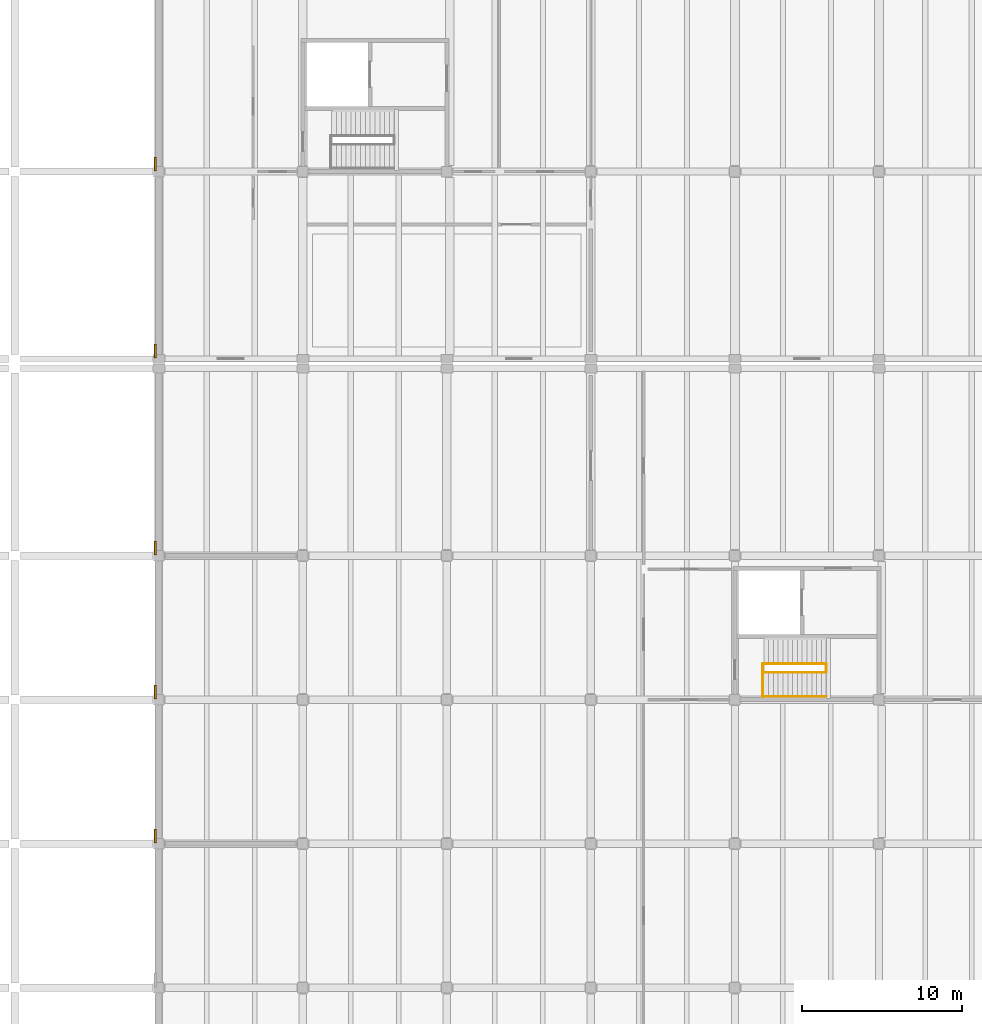
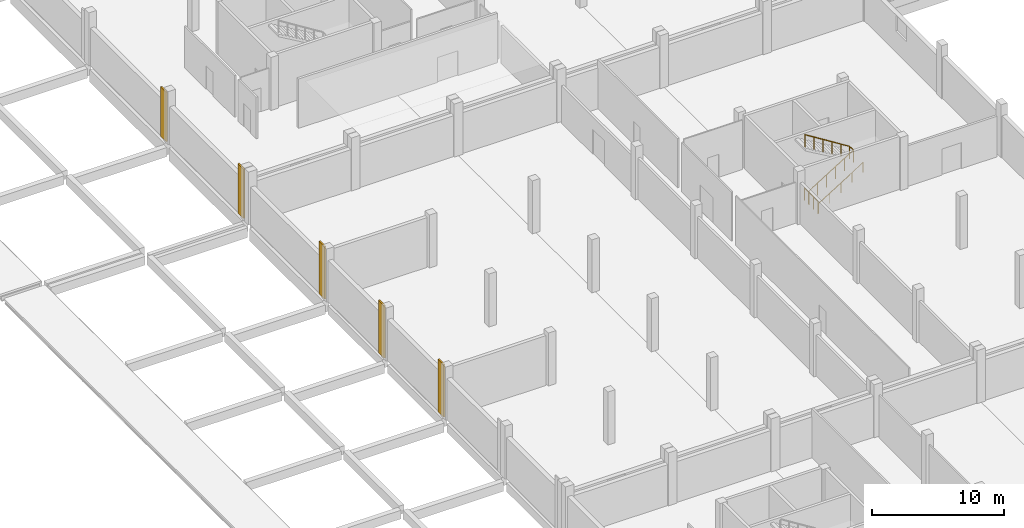
# One storey, part 100 of 110: 5 coverings, 5 railings.
"""IFC4 building model written with IfcOpenShell, lengths in metres."""

from ifc_helpers import new_model, si_unit, direction, frame, origin, origin_2d, place, context, subcontext, project, spatial, rectangle, circle, extrude, material, layer, layer_set, type_object, element, save


model = new_model("IFC4")

# Units and contexts
model_context = context("Model", 3, precision=1e-05, world=origin(), true_north=direction((0.0, 1.0)))
body_context = subcontext(model_context, "Body", "Model", "MODEL_VIEW")
ifc_project = project(units=[si_unit("LENGTHUNIT", "METRE"), si_unit("AREAUNIT", "SQUARE_METRE"), si_unit("VOLUMEUNIT", "CUBIC_METRE"), si_unit("PLANEANGLEUNIT", "RADIAN"), si_unit("MASSUNIT", "GRAM", prefix="KILO")], contexts=[model_context])

# Site, building, storey
site_placement = place(None, origin())
site = spatial("IfcSite", under=ifc_project, at=site_placement, CompositionType="ELEMENT")
building_placement = place(site_placement, origin())
building = spatial("IfcBuilding", under=site, at=building_placement, Name="Zacnel Wholesale Market", CompositionType="ELEMENT")
storey_placement = place(building_placement, frame((0.0, 0.0, 6.300048828125)))
storey = spatial("IfcBuildingStorey", under=building, at=storey_placement, Name="L02", CompositionType="ELEMENT", Elevation=6.300048828125)

# Coverings
ifc_material_1 = material(Name="Honed Yucatan Maya cream limestone", Category="masonry")
ifc_layer = layer(ifc_material_1, 0.090087890625)
ifc_layer_set = layer_set([ifc_layer], Name="Honed Yucatan Maya cream limestone")
covering_type = type_object("IfcCoveringType", Name="COV-CLAD-FRET", PredefinedType="CLADDING", material=ifc_layer_set)
for number, where, z_axis, x_axis, name in (
    (1, (17.7900390625, 66.47998046875, 0.02001953125), (0.0, 0.0, 1.0), (0.0, 1.0, 0.0), "Fluted Mayan-Deco limestone pilaster L02-0093"),
    (2, (17.7900390625, 75.47998046875, 0.02001953125), (0.0, 0.0, 1.0), (0.0, 1.0, 0.0), "Fluted Mayan-Deco limestone pilaster L02-0094"),
    (3, (17.7900390625, 84.47998046875, 0.02001953125), (0.0, 0.0, 1.0), (0.0, 1.0, 0.0), "Fluted Mayan-Deco limestone pilaster L02-0095"),
):
    element("IfcCovering", number, at=place(storey_placement, frame(where, z_axis=z_axis, x_axis=x_axis)), inside=storey, type_object=covering_type, Name=name, PredefinedType="CLADDING", context=body_context, shape_type="SweptSolid", body=[
        extrude(rectangle(XDim=0.85009765625, YDim=0.1201171875, at=origin_2d()), origin(), (0.0, 0.0, 1.0), 4.860107421875),
    ])
for number, where, z_axis, x_axis, name in (
    (4, (17.7900390625, 96.780029296875, 0.02001953125), (0.0, 0.0, 1.0), (0.0, 1.0, 0.0), "Fluted Mayan-Deco limestone pilaster L02-0102"),
    (5, (17.7900390625, 108.47998046875, 0.02001953125), (0.0, 0.0, 1.0), (0.0, 1.0, 0.0), "Fluted Mayan-Deco limestone pilaster L02-0103"),
):
    element("IfcCovering", number, at=place(storey_placement, frame(where, z_axis=z_axis, x_axis=x_axis)), inside=storey, type_object=covering_type, Name=name, PredefinedType="CLADDING", context=body_context, shape_type="SweptSolid", body=[
        extrude(rectangle(XDim=0.85009765625, YDim=0.1201171875, at=origin_2d()), origin(), (0.0, 0.0, 1.0), 4.580078125),
    ])

# Railings
ifc_material_2 = material(Name="Galvanized steel", Category="steel")
railing_type_1 = type_object("IfcRailingType", Name="RAL-HANDRAIL-920", PredefinedType="HANDRAIL", material=ifc_material_2)
railing_1_placement = place(storey_placement, frame((55.81005859375, 75.2099609375, 0.0)))
element("IfcRailing", 6, at=railing_1_placement, inside=storey, type_object=railing_type_1, Name="Stair ST-10 wall handrail", PredefinedType="HANDRAIL", context=body_context, shape_type="SweptSolid", body=[
    extrude(circle(Radius=0.02099609375, at=origin_2d()), frame((0.0, 0.0, 0.89892578125), z_axis=(0.846775046443, 0.0, 0.531951145052), x_axis=(0.0, 1.0, 0.0)), (0.0, 0.0, 1.0), 4.605712890625),
    extrude(circle(Radius=0.01806640625, at=origin_2d()), origin(), (0.0, 0.0, 1.0), 0.8779296875),
    extrude(circle(Radius=0.01806640625, at=origin_2d()), frame((0.97509765625, 0.0, 0.612548828125)), (0.0, 0.0, 1.0), 0.8779296875),
    extrude(circle(Radius=0.01806640625, at=origin_2d()), frame((1.949951171875, 0.0, 1.22509765625)), (0.0, 0.0, 1.0), 0.8779296875),
    extrude(circle(Radius=0.01806640625, at=origin_2d()), frame((2.9248046875, 0.0, 1.83740234375)), (0.0, 0.0, 1.0), 0.8779296875),
    extrude(circle(Radius=0.01806640625, at=origin_2d()), frame((3.89990234375, 0.0, 2.449951171875)), (0.0, 0.0, 1.0), 0.8779296875),
])
ifc_material_3 = material(Name="Galvanized steel", Category="steel")
railing_type_2 = type_object("IfcRailingType", Name="RAL-STAIR-GD1150", PredefinedType="BALUSTRADE", material=ifc_material_3)
railing_2_placement = place(storey_placement, frame((55.75, 75.18994140625, 0.0)))
element("IfcRailing", 7, at=railing_2_placement, inside=storey, type_object=railing_type_2, Name="Stair balustrade INT-STAIR-ST-09-GDWELL-1", PredefinedType="BALUSTRADE", context=body_context, shape_type="SweptSolid", body=[
    extrude(circle(Radius=0.02392578125, at=origin_2d()), frame((0.0, 0.0, 1.1259765625), z_axis=(0.0, 1.0, 0.0), x_axis=(-1.0, 0.0, 0.0)), (0.0, 0.0, 1.0), 2.06005859375),
    extrude(circle(Radius=0.02099609375, at=origin_2d()), origin(), (0.0, 0.0, 1.0), 1.101806640625),
    extrude(circle(Radius=0.02099609375, at=origin_2d()), frame((0.0, 0.686767578125, 0.0)), (0.0, 0.0, 1.0), 1.101806640625),
    extrude(circle(Radius=0.02099609375, at=origin_2d()), frame((0.0, 1.373291015625, 0.0)), (0.0, 0.0, 1.0), 1.101806640625),
    extrude(circle(Radius=0.02099609375, at=origin_2d()), frame((0.0, 2.06005859375, 0.0)), (0.0, 0.0, 1.0), 1.101806640625),
])
railing_3_placement = place(storey_placement, frame((55.81005859375, 76.699951171875, 0.0)))
element("IfcRailing", 8, at=railing_3_placement, inside=storey, type_object=railing_type_2, Name="Stair balustrade INT-STAIR-ST-10-GDIN-1", PredefinedType="BALUSTRADE", context=body_context, shape_type="SweptSolid", body=[
    extrude(circle(Radius=0.02392578125, at=origin_2d()), frame((0.0, 0.0, 1.1259765625), z_axis=(0.846775046443, 0.0, 0.531951145052), x_axis=(0.0, 1.0, 0.0)), (0.0, 0.0, 1.0), 4.605712890625),
    extrude(circle(Radius=0.02099609375, at=origin_2d()), origin(), (0.0, 0.0, 1.0), 1.101806640625),
    extrude(circle(Radius=0.02099609375, at=origin_2d()), frame((0.780029296875, 0.0, 0.489990234375)), (0.0, 0.0, 1.0), 1.101806640625),
    extrude(circle(Radius=0.02099609375, at=origin_2d()), frame((1.56005859375, 0.0, 0.97998046875)), (0.0, 0.0, 1.0), 1.101806640625),
    extrude(circle(Radius=0.02099609375, at=origin_2d()), frame((2.33984375, 0.0, 1.469970703125)), (0.0, 0.0, 1.0), 1.101806640625),
    extrude(circle(Radius=0.02099609375, at=origin_2d()), frame((3.119873046875, 0.0, 1.9599609375)), (0.0, 0.0, 1.0), 1.101806640625),
    extrude(circle(Radius=0.02099609375, at=origin_2d()), frame((3.89990234375, 0.0, 2.449951171875)), (0.0, 0.0, 1.0), 1.101806640625),
])
railing_4_placement = place(storey_placement, frame((59.7099609375, 76.699951171875, 2.449951171875)))
element("IfcRailing", 9, at=railing_4_placement, inside=storey, type_object=railing_type_2, Name="Stair balustrade INT-STAIR-ST-10-GDIN-2", PredefinedType="BALUSTRADE", context=body_context, shape_type="SweptSolid", body=[
    extrude(circle(Radius=0.02392578125, at=origin_2d()), frame((0.0, 0.0, 1.1259765625), z_axis=(0.0, 1.0, 0.0), x_axis=(-1.0, 0.0, 0.0)), (0.0, 0.0, 1.0), 0.550048828125),
    extrude(circle(Radius=0.02099609375, at=origin_2d()), origin(), (0.0, 0.0, 1.0), 1.101806640625),
    extrude(circle(Radius=0.02099609375, at=origin_2d()), frame((0.0, 0.550048828125, 0.0)), (0.0, 0.0, 1.0), 1.101806640625),
])
railing_5_placement = place(storey_placement, frame((59.7099609375, 77.25, 2.449951171875)))
element("IfcRailing", 10, at=railing_5_placement, inside=storey, type_object=railing_type_2, Name="Stair balustrade INT-STAIR-ST-10-GDIN-3", PredefinedType="BALUSTRADE", context=body_context, shape_type="SweptSolid", body=[
    extrude(circle(Radius=0.02392578125, at=origin_2d()), frame((0.0, 0.0, 1.1259765625), z_axis=(-0.846775046443, 0.0, 0.531951145052), x_axis=(0.0, -1.0, 0.0)), (0.0, 0.0, 1.0), 4.605712890625),
    extrude(circle(Radius=0.02099609375, at=origin_2d()), origin(), (0.0, 0.0, 1.0), 1.101806640625),
    extrude(circle(Radius=0.02099609375, at=origin_2d()), frame((-0.780029296875, 0.0, 0.489990234375)), (0.0, 0.0, 1.0), 1.101806640625),
    extrude(circle(Radius=0.02099609375, at=origin_2d()), frame((-1.56005859375, 0.0, 0.97998046875)), (0.0, 0.0, 1.0), 1.101806640625),
    extrude(circle(Radius=0.02099609375, at=origin_2d()), frame((-2.33984375, 0.0, 1.469970703125)), (0.0, 0.0, 1.0), 1.101806640625),
    extrude(circle(Radius=0.02099609375, at=origin_2d()), frame((-3.119873046875, 0.0, 1.9599609375)), (0.0, 0.0, 1.0), 1.101806640625),
    extrude(circle(Radius=0.02099609375, at=origin_2d()), frame((-3.89990234375, 0.0, 2.449951171875)), (0.0, 0.0, 1.0), 1.101806640625),
])

save(model, "model.ifc")
